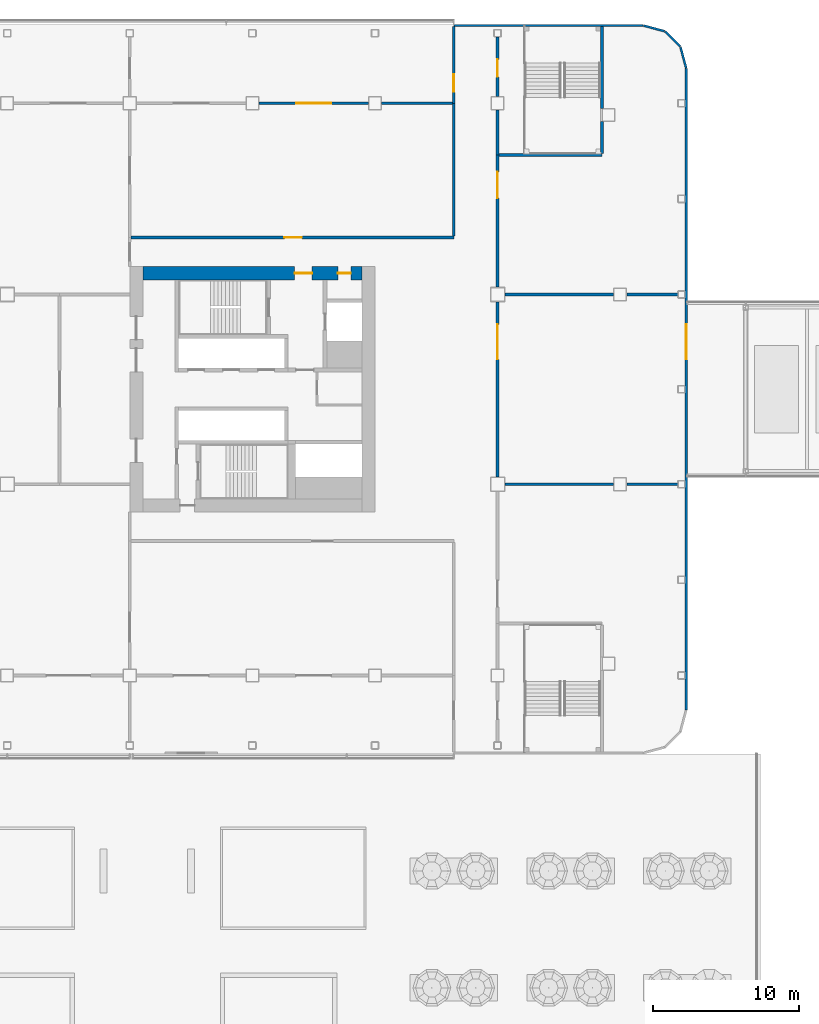
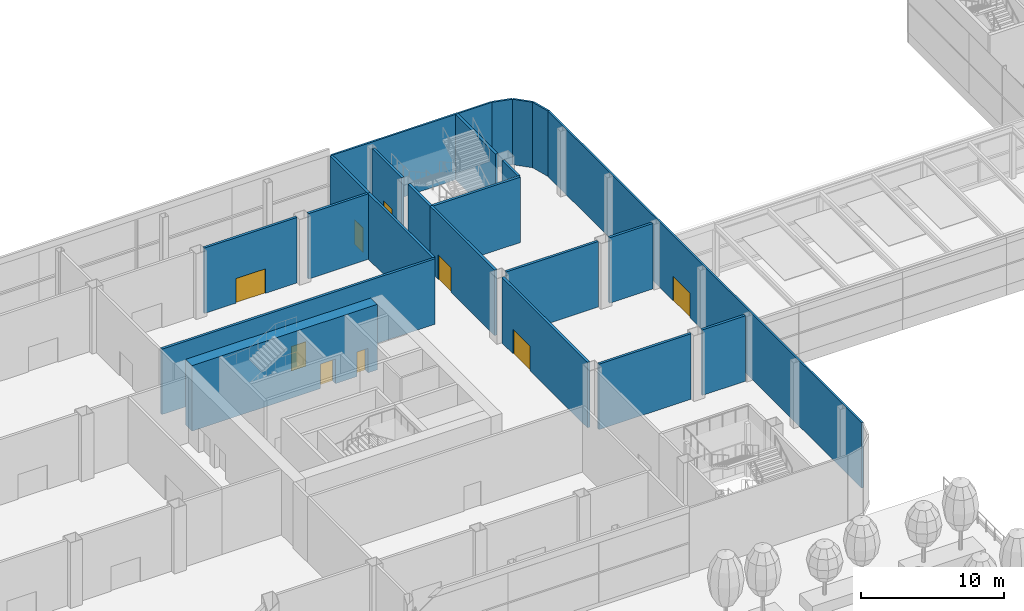
# One storey, part 37 of 100: 22 walls, 9 doors, 9 openings.
"""IFC4 building model written with IfcOpenShell, lengths in metres."""

from ifc_helpers import new_model, si_unit, direction, frame, frame_2d, origin, place, context, subcontext, project, spatial, rectangle, extrude, material, layer, layer_set, type_object, element, fill, save


model = new_model("IFC4")

# Units and contexts
model_context = context("Model", 3, precision=1e-05, world=origin(), true_north=direction((0.0, 1.0)))
body_context = subcontext(model_context, "Body", "Model", "MODEL_VIEW")
ifc_project = project(units=[si_unit("LENGTHUNIT", "METRE"), si_unit("AREAUNIT", "SQUARE_METRE"), si_unit("VOLUMEUNIT", "CUBIC_METRE"), si_unit("PLANEANGLEUNIT", "RADIAN"), si_unit("MASSUNIT", "GRAM", prefix="KILO")], contexts=[model_context])

# Site, building, storey
site_placement = place(None, origin())
site = spatial("IfcSite", under=ifc_project, at=site_placement, CompositionType="ELEMENT")
building_placement = place(site_placement, origin())
building = spatial("IfcBuilding", under=site, at=building_placement, Name="Hakoniwa Tower and Hamabe Station Hall", CompositionType="ELEMENT")
storey_placement = place(building_placement, frame((0.0, 0.0, 9.0)))
storey = spatial("IfcBuildingStorey", under=building, at=storey_placement, Name="L02", CompositionType="ELEMENT", Elevation=9.0)

# Wall, openings, doors
ifc_material_1 = material(Name="Concrete C80", Category="concrete")
ifc_layer_1 = layer(ifc_material_1, 0.89990234375)
ifc_layer_set_1 = layer_set([ifc_layer_1], Name="CORE WALL 900 C80")
wall_type_1 = type_object("IfcWallType", Name="CORE WALL 900 C80", PredefinedType="SHEAR", material=ifc_layer_set_1)
wall_1_placement = place(storey_placement, frame((17.699951171875, 7.949951171875, 0.0), z_axis=(0.0, 0.0, 1.0), x_axis=(1.0, 0.0, 0.0)))
wall_1 = element("IfcWall", 1, at=wall_1_placement, inside=storey, type_object=wall_type_1, Name="Core wall NORTH east", PredefinedType="SHEAR", context=body_context, shape_type="SweptSolid", body=[
    extrude(rectangle(XDim=15.0, YDim=0.89990234375, at=frame_2d((7.5, 0.0))), origin(), (0.0, 0.0, 1.0), 5.60009765625),
])
opening_1_placement = place(wall_1_placement, frame((10.39990234375, 0.0, 0.0)))
opening_1 = element("IfcOpeningElement", 2, at=opening_1_placement, cuts=wall_1, Name="Opening CD-E-FN1-12", PredefinedType="OPENING", context=body_context, shape_type="SweptSolid", body=[
    extrude(rectangle(XDim=1.199951171875, YDim=2.10009765625, at=frame_2d((0.60009765625, 1.050048828125))), frame((0.0, 0.4599609375, 0.0), z_axis=(0.0, -1.0, 0.0), x_axis=(1.0, 0.0, 0.0)), (0.0, 0.0, 1.0), 0.919921875),
])
opening_2_placement = place(wall_1_placement, frame((13.35009765625, 0.0, 0.0)))
opening_2 = element("IfcOpeningElement", 3, at=opening_2_placement, cuts=wall_1, Name="Opening CD-E-FN2-9", PredefinedType="OPENING", context=body_context, shape_type="SweptSolid", body=[
    extrude(rectangle(XDim=0.89990234375, YDim=2.10009765625, at=frame_2d((0.449951171875, 1.050048828125))), frame((0.0, 0.4599609375, 0.0), z_axis=(0.0, -1.0, 0.0), x_axis=(1.0, 0.0, 0.0)), (0.0, 0.0, 1.0), 0.919921875),
])
ifc_material_2 = material(Name="Steel fire door", Category="steel")
door_type_1 = type_object("IfcDoorType", Name="CORE DOOR 1200 FD60", OperationType="DOUBLE_DOOR_SINGLE_SWING", PredefinedType="DOOR", material=ifc_material_2)
door_1_placement = place(opening_1_placement, origin())
door_1 = element("IfcDoor", 4, at=door_1_placement, inside=storey, type_object=door_type_1, Name="Stair vestibule door to the fire-fighting lobby", OperationType="DOUBLE_DOOR_SINGLE_SWING", OverallHeight=2.10009765625, OverallWidth=1.199951171875, PredefinedType="DOOR", context=body_context, shape_type="SweptSolid", body=[
    extrude(rectangle(XDim=1.199951171875, YDim=2.10009765625, at=frame_2d((0.60009765625, 1.050048828125))), frame((0.0, 0.02490234375, 0.0), z_axis=(0.0, -1.0, 0.0), x_axis=(1.0, 0.0, 0.0)), (0.0, 0.0, 1.0), 0.050048828125),
])
fill(opening_1, door_1)
ifc_material_3 = material(Name="Steel fire door", Category="steel")
door_type_2 = type_object("IfcDoorType", Name="CORE DOOR 900 FD30", OperationType="NOTDEFINED", PredefinedType="DOOR", material=ifc_material_3)
door_2_placement = place(opening_2_placement, origin())
door_2 = element("IfcDoor", 5, at=door_2_placement, inside=storey, type_object=door_type_2, Name="Riser access door", OperationType="SINGLE_SWING_LEFT", OverallHeight=2.10009765625, OverallWidth=0.89990234375, PredefinedType="DOOR", context=body_context, shape_type="SweptSolid", body=[
    extrude(rectangle(XDim=0.89990234375, YDim=2.10009765625, at=frame_2d((0.449951171875, 1.050048828125))), frame((0.0, 0.02490234375, 0.0), z_axis=(0.0, -1.0, 0.0), x_axis=(1.0, 0.0, 0.0)), (0.0, 0.0, 1.0), 0.050048828125),
])
fill(opening_2, door_2)

# Walls
ifc_material_4 = material(Name="Dark glass-faced aluminium panel", Category="aluminium")
ifc_layer_2 = layer(ifc_material_4, 0.14990234375)
ifc_layer_set_2 = layer_set([ifc_layer_2], Name="EXTERNAL WALL 150 EI 60")
wall_type_2 = type_object("IfcWallType", Name="EXTERNAL WALL 150 EI 60", PredefinedType="STANDARD", material=ifc_layer_set_2)
wall_2_placement = place(storey_placement, frame((39.0, 24.925048828125, 0.0), z_axis=(0.0, 0.0, 1.0), x_axis=(1.0, 0.0, 0.0)))
element("IfcWall", 6, at=wall_2_placement, inside=storey, type_object=wall_type_2, Name="External wall L02 12-2", PredefinedType="STANDARD", context=body_context, shape_type="SweptSolid", body=[
    extrude(rectangle(XDim=12.980224609375, YDim=0.14990234375, at=frame_2d((6.490234375, 0.0))), origin(), (0.0, 0.0, 1.0), 5.60009765625),
])
wall_3_placement = place(storey_placement, frame((51.999755859375, 24.92236328125, 0.0), z_axis=(0.0, 0.0, 1.0), x_axis=(0.965946591624, -0.258741535379, 0.0)))
element("IfcWall", 7, at=wall_3_placement, inside=storey, type_object=wall_type_2, Name="External wall L02 13-1", PredefinedType="STANDARD", context=body_context, shape_type="SweptSolid", body=[
    extrude(rectangle(XDim=1.49267578125, YDim=0.14990234375, at=frame_2d((0.746337890625, 0.0))), origin(), (0.0, 0.0, 1.0), 5.60009765625),
])
wall_4_placement = place(storey_placement, frame((53.475341796875, 24.5166015625, 0.0), z_axis=(0.0, 0.0, 1.0), x_axis=(0.707106781187, -0.707106781187, 0.0)))
element("IfcWall", 8, at=wall_4_placement, inside=storey, type_object=wall_type_2, Name="External wall L02 14-1", PredefinedType="STANDARD", context=body_context, shape_type="SweptSolid", body=[
    extrude(rectangle(XDim=1.47265625, YDim=0.14990234375, at=frame_2d((0.736328125, 0.0))), origin(), (0.0, 0.0, 1.0), 5.60009765625),
])
wall_5_placement = place(storey_placement, frame((54.5361328125, 23.441650390625, 0.0), z_axis=(0.0, 0.0, 1.0), x_axis=(0.258741535379, -0.965946591624, 0.0)))
element("IfcWall", 9, at=wall_5_placement, inside=storey, type_object=wall_type_2, Name="External wall L02 15-1", PredefinedType="STANDARD", context=body_context, shape_type="SweptSolid", body=[
    extrude(rectangle(XDim=1.49267578125, YDim=0.14990234375, at=frame_2d((0.746337890625, 0.0))), origin(), (0.0, 0.0, 1.0), 5.60009765625),
])

# Wall, opening, door
wall_6_placement = place(storey_placement, frame((54.925048828125, 21.980224609375, 0.0), z_axis=(0.0, 0.0, 1.0), x_axis=(0.0, -1.0, 0.0)))
wall_6 = element("IfcWall", 10, at=wall_6_placement, inside=storey, type_object=wall_type_2, Name="External wall L02 16-1", PredefinedType="STANDARD", context=body_context, shape_type="SweptSolid", body=[
    extrude(rectangle(XDim=43.96044921875, YDim=0.14990234375, at=frame_2d((21.980224609375, 0.0))), origin(), (0.0, 0.0, 1.0), 5.60009765625),
])
opening_3_placement = place(wall_6_placement, frame((17.5302734375, 0.0, 0.0)))
opening_3 = element("IfcOpeningElement", 11, at=opening_3_placement, cuts=wall_6, Name="Opening ED-E-07", PredefinedType="OPENING", context=body_context, shape_type="SweptSolid", body=[
    extrude(rectangle(XDim=2.39990234375, YDim=2.10009765625, at=frame_2d((1.199951171875, 1.050048828125))), frame((0.0, 0.0849609375, 0.0), z_axis=(0.0, -1.0, 0.0), x_axis=(1.0, 0.0, 0.0)), (0.0, 0.0, 1.0), 0.169921875),
])
ifc_material_5 = material(Name="Glazed aluminium door", Category="aluminium")
door_type_3 = type_object("IfcDoorType", Name="DOUBLE GLAZED DOOR 2400X2100", OperationType="DOUBLE_DOOR_DOUBLE_SWING", PredefinedType="DOOR", material=ifc_material_5)
door_3_placement = place(opening_3_placement, origin())
door_3 = element("IfcDoor", 12, at=door_3_placement, inside=storey, type_object=door_type_3, Name="Entrance door", OperationType="DOUBLE_DOOR_DOUBLE_SWING", OverallHeight=2.10009765625, OverallWidth=2.39990234375, PredefinedType="DOOR", context=body_context, shape_type="SweptSolid", body=[
    extrude(rectangle(XDim=2.39990234375, YDim=2.10009765625, at=frame_2d((1.199951171875, 1.050048828125))), frame((0.0, 0.02490234375, 0.0), z_axis=(0.0, -1.0, 0.0), x_axis=(1.0, 0.0, 0.0)), (0.0, 0.0, 1.0), 0.050048828125),
])
fill(opening_3, door_3)

# Walls
ifc_material_6 = material(Name="Fire-rated gypsum board partition")
ifc_layer_3 = layer(ifc_material_6, 0.199951171875)
ifc_layer_set_3 = layer_set([ifc_layer_3], Name="FIRE PARTITION 200 EI 60")
wall_type_3 = type_object("IfcWallType", Name="FIRE PARTITION 200 EI 60", PredefinedType="PARTITIONING", material=ifc_layer_set_3)
wall_7_placement = place(storey_placement, frame((54.35009765625, -6.5, 0.0), z_axis=(0.0, 0.0, 1.0), x_axis=(-1.0, 0.0, 0.0)))
element("IfcWall", 13, at=wall_7_placement, inside=storey, type_object=wall_type_3, Name="Wall Arcade Lobby / Wine Bar", PredefinedType="PARTITIONING", context=body_context, shape_type="SweptSolid", body=[
    extrude(rectangle(XDim=3.5, YDim=0.199951171875, at=frame_2d((1.75, 0.0))), origin(), (0.0, 0.0, 1.0), 5.60009765625),
])
wall_8_placement = place(storey_placement, frame((49.949951171875, -6.5, 0.0), z_axis=(0.0, 0.0, 1.0), x_axis=(-1.0, 0.0, 0.0)))
element("IfcWall", 14, at=wall_8_placement, inside=storey, type_object=wall_type_3, Name="Wall Arcade Lobby / Wine Bar", PredefinedType="PARTITIONING", context=body_context, shape_type="SweptSolid", body=[
    extrude(rectangle(XDim=7.449951171875, YDim=0.199951171875, at=frame_2d((3.72509765625, 0.0))), origin(), (0.0, 0.0, 1.0), 5.60009765625),
])

# Wall, opening, door
wall_9_placement = place(storey_placement, frame((25.64990234375, 19.60009765625, 0.0), z_axis=(0.0, 0.0, 1.0), x_axis=(1.0, 0.0, 0.0)))
wall_9 = element("IfcWall", 15, at=wall_9_placement, inside=storey, type_object=wall_type_3, Name="Wall Business Centre / Business Centre Gallery", PredefinedType="PARTITIONING", context=body_context, shape_type="SweptSolid", body=[
    extrude(rectangle(XDim=7.5, YDim=0.199951171875, at=frame_2d((3.75, 0.0))), origin(), (0.0, 0.0, 1.0), 5.60009765625),
])
opening_4_placement = place(wall_9_placement, frame((2.550048828125, 0.0, 0.0)))
opening_4 = element("IfcOpeningElement", 16, at=opening_4_placement, cuts=wall_9, Name="Opening PD-L02-029", PredefinedType="OPENING", context=body_context, shape_type="SweptSolid", body=[
    extrude(rectangle(XDim=2.39990234375, YDim=2.10009765625, at=frame_2d((1.199951171875, 1.050048828125))), frame((0.0, 0.10986328125, 0.0), z_axis=(0.0, -1.0, 0.0), x_axis=(1.0, 0.0, 0.0)), (0.0, 0.0, 1.0), 0.219970703125),
])
door_4_placement = place(opening_4_placement, origin())
door_4 = element("IfcDoor", 17, at=door_4_placement, inside=storey, type_object=door_type_3, Name="Door PD-L02-029", OperationType="DOUBLE_DOOR_DOUBLE_SWING", OverallHeight=2.10009765625, OverallWidth=2.39990234375, PredefinedType="DOOR", context=body_context, shape_type="SweptSolid", body=[
    extrude(rectangle(XDim=2.39990234375, YDim=2.10009765625, at=frame_2d((1.199951171875, 1.050048828125))), frame((0.0, 0.02490234375, 0.0), z_axis=(0.0, -1.0, 0.0), x_axis=(1.0, 0.0, 0.0)), (0.0, 0.0, 1.0), 0.050048828125),
])
fill(opening_4, door_4)

# Walls
wall_10_placement = place(storey_placement, frame((34.050048828125, 19.60009765625, 0.0), z_axis=(0.0, 0.0, 1.0), x_axis=(1.0, 0.0, 0.0)))
element("IfcWall", 18, at=wall_10_placement, inside=storey, type_object=wall_type_3, Name="Wall Business Centre / Business Centre Gallery", PredefinedType="PARTITIONING", context=body_context, shape_type="SweptSolid", body=[
    extrude(rectangle(XDim=4.849853515625, YDim=0.199951171875, at=frame_2d((2.4248046875, 0.0))), origin(), (0.0, 0.0, 1.0), 5.60009765625),
])
wall_11_placement = place(storey_placement, frame((54.35009765625, 6.5, 0.0), z_axis=(0.0, 0.0, 1.0), x_axis=(-1.0, 0.0, 0.0)))
element("IfcWall", 19, at=wall_11_placement, inside=storey, type_object=wall_type_3, Name="Wall Garden Cafe / Arcade Lobby", PredefinedType="PARTITIONING", context=body_context, shape_type="SweptSolid", body=[
    extrude(rectangle(XDim=3.5, YDim=0.199951171875, at=frame_2d((1.75, 0.0))), origin(), (0.0, 0.0, 1.0), 5.60009765625),
])
wall_12_placement = place(storey_placement, frame((49.949951171875, 6.5, 0.0), z_axis=(0.0, 0.0, 1.0), x_axis=(-1.0, 0.0, 0.0)))
element("IfcWall", 20, at=wall_12_placement, inside=storey, type_object=wall_type_3, Name="Wall Garden Cafe / Arcade Lobby", PredefinedType="PARTITIONING", context=body_context, shape_type="SweptSolid", body=[
    extrude(rectangle(XDim=7.449951171875, YDim=0.199951171875, at=frame_2d((3.72509765625, 0.0))), origin(), (0.0, 0.0, 1.0), 5.60009765625),
])

# Wall, opening, door
wall_13_placement = place(storey_placement, frame((42.0, 6.0, 0.0), z_axis=(0.0, 0.0, 1.0), x_axis=(0.0, -1.0, 0.0)))
wall_13 = element("IfcWall", 21, at=wall_13_placement, inside=storey, type_object=wall_type_3, Name="Wall East Gallery / Arcade Lobby", PredefinedType="PARTITIONING", context=body_context, shape_type="SweptSolid", body=[
    extrude(rectangle(XDim=12.0, YDim=0.199951171875, at=frame_2d((6.0, 0.0))), origin(), (0.0, 0.0, 1.0), 5.60009765625),
])
opening_5_placement = place(wall_13_placement, frame((1.550048828125, 0.0, 0.0)))
opening_5 = element("IfcOpeningElement", 22, at=opening_5_placement, cuts=wall_13, Name="Opening PD-L02-050", PredefinedType="OPENING", context=body_context, shape_type="SweptSolid", body=[
    extrude(rectangle(XDim=2.39990234375, YDim=2.10009765625, at=frame_2d((1.199951171875, 1.050048828125))), frame((0.0, 0.10986328125, 0.0), z_axis=(0.0, -1.0, 0.0), x_axis=(1.0, 0.0, 0.0)), (0.0, 0.0, 1.0), 0.219970703125),
])
ifc_material_7 = material(Name="Steel fire door", Category="steel")
door_type_4 = type_object("IfcDoorType", Name="FIRE DOUBLE DOOR 2400X2100 FD60", OperationType="DOUBLE_DOOR_SINGLE_SWING", PredefinedType="DOOR", material=ifc_material_7)
door_5_placement = place(opening_5_placement, origin())
door_5 = element("IfcDoor", 23, at=door_5_placement, inside=storey, type_object=door_type_4, Name="Door PD-L02-050", OperationType="DOUBLE_DOOR_SINGLE_SWING", OverallHeight=2.10009765625, OverallWidth=2.39990234375, PredefinedType="DOOR", context=body_context, shape_type="SweptSolid", body=[
    extrude(rectangle(XDim=2.39990234375, YDim=2.10009765625, at=frame_2d((1.199951171875, 1.050048828125))), frame((0.0, 0.02490234375, 0.0), z_axis=(0.0, -1.0, 0.0), x_axis=(1.0, 0.0, 0.0)), (0.0, 0.0, 1.0), 0.050048828125),
])
fill(opening_5, door_5)

wall_14_placement = place(storey_placement, frame((39.0, 19.60009765625, 0.0), z_axis=(0.0, 0.0, 1.0), x_axis=(0.0, 1.0, 0.0)))
wall_14 = element("IfcWall", 24, at=wall_14_placement, inside=storey, type_object=wall_type_3, Name="Wall East Gallery / Business Centre Gallery", PredefinedType="PARTITIONING", context=body_context, shape_type="SweptSolid", body=[
    extrude(rectangle(XDim=5.25, YDim=0.199951171875, at=frame_2d((2.625, 0.0))), origin(), (0.0, 0.0, 1.0), 5.60009765625),
])
opening_6_placement = place(wall_14_placement, frame((0.800048828125, 0.0, 0.0)))
opening_6 = element("IfcOpeningElement", 25, at=opening_6_placement, cuts=wall_14, Name="Opening PD-L02-046", PredefinedType="OPENING", context=body_context, shape_type="SweptSolid", body=[
    extrude(rectangle(XDim=1.199951171875, YDim=2.10009765625, at=frame_2d((0.60009765625, 1.050048828125))), frame((0.0, 0.10986328125, 0.0), z_axis=(0.0, -1.0, 0.0), x_axis=(1.0, 0.0, 0.0)), (0.0, 0.0, 1.0), 0.219970703125),
])
ifc_material_8 = material(Name="Steel fire door", Category="steel")
door_type_5 = type_object("IfcDoorType", Name="FIRE DOOR 1200X2100 FD60", OperationType="SINGLE_SWING_LEFT", PredefinedType="DOOR", material=ifc_material_8)
door_6_placement = place(opening_6_placement, origin())
door_6 = element("IfcDoor", 26, at=door_6_placement, inside=storey, type_object=door_type_5, Name="Door PD-L02-046", OperationType="SINGLE_SWING_RIGHT", OverallHeight=2.10009765625, OverallWidth=1.199951171875, PredefinedType="DOOR", context=body_context, shape_type="SweptSolid", body=[
    extrude(rectangle(XDim=1.199951171875, YDim=2.10009765625, at=frame_2d((0.60009765625, 1.050048828125))), frame((0.0, 0.02490234375, 0.0), z_axis=(0.0, -1.0, 0.0), x_axis=(1.0, 0.0, 0.0)), (0.0, 0.0, 1.0), 0.050048828125),
])
fill(opening_6, door_6)

wall_15_placement = place(storey_placement, frame((16.89990234375, 10.39990234375, 0.0), z_axis=(0.0, 0.0, 1.0), x_axis=(1.0, 0.0, 0.0)))
wall_15 = element("IfcWall", 27, at=wall_15_placement, inside=storey, type_object=wall_type_3, Name="Wall East Gallery / Business Centre", PredefinedType="PARTITIONING", context=body_context, shape_type="SweptSolid", body=[
    extrude(rectangle(XDim=22.10009765625, YDim=0.199951171875, at=frame_2d((11.050048828125, 0.0))), origin(), (0.0, 0.0, 1.0), 5.60009765625),
])
opening_7_placement = place(wall_15_placement, frame((10.5, 0.0, 0.0)))
opening_7 = element("IfcOpeningElement", 28, at=opening_7_placement, cuts=wall_15, Name="Opening PD-L02-047", PredefinedType="OPENING", context=body_context, shape_type="SweptSolid", body=[
    extrude(rectangle(XDim=1.199951171875, YDim=2.10009765625, at=frame_2d((0.60009765625, 1.050048828125))), frame((0.0, 0.10986328125, 0.0), z_axis=(0.0, -1.0, 0.0), x_axis=(1.0, 0.0, 0.0)), (0.0, 0.0, 1.0), 0.219970703125),
])
door_7_placement = place(opening_7_placement, origin())
door_7 = element("IfcDoor", 29, at=door_7_placement, inside=storey, type_object=door_type_5, Name="Door PD-L02-047", OperationType="SINGLE_SWING_RIGHT", OverallHeight=2.10009765625, OverallWidth=1.199951171875, PredefinedType="DOOR", context=body_context, shape_type="SweptSolid", body=[
    extrude(rectangle(XDim=1.199951171875, YDim=2.10009765625, at=frame_2d((0.60009765625, 1.050048828125))), frame((0.0, 0.02490234375, 0.0), z_axis=(0.0, -1.0, 0.0), x_axis=(1.0, 0.0, 0.0)), (0.0, 0.0, 1.0), 0.050048828125),
])
fill(opening_7, door_7)

# Wall
wall_16_placement = place(storey_placement, frame((39.0, 10.5, 0.0), z_axis=(0.0, 0.0, 1.0), x_axis=(0.0, 1.0, 0.0)))
element("IfcWall", 30, at=wall_16_placement, inside=storey, type_object=wall_type_3, Name="Wall East Gallery / Business Centre", PredefinedType="PARTITIONING", context=body_context, shape_type="SweptSolid", body=[
    extrude(rectangle(XDim=9.10009765625, YDim=0.199951171875, at=frame_2d((4.550048828125, 0.0))), origin(), (0.0, 0.0, 1.0), 5.60009765625),
])

# Wall, opening, door
wall_17_placement = place(storey_placement, frame((42.0, 16.050048828125, 0.0), z_axis=(0.0, 0.0, 1.0), x_axis=(0.0, -1.0, 0.0)))
wall_17 = element("IfcWall", 31, at=wall_17_placement, inside=storey, type_object=wall_type_3, Name="Wall East Gallery / Garden Cafe", PredefinedType="PARTITIONING", context=body_context, shape_type="SweptSolid", body=[
    extrude(rectangle(XDim=9.050048828125, YDim=0.199951171875, at=frame_2d((4.52490234375, 0.0))), origin(), (0.0, 0.0, 1.0), 5.60009765625),
])
opening_8_placement = place(wall_17_placement, frame((1.14990234375, 0.0, 0.0)))
opening_8 = element("IfcOpeningElement", 32, at=opening_8_placement, cuts=wall_17, Name="Opening PD-L02-048", PredefinedType="OPENING", context=body_context, shape_type="SweptSolid", body=[
    extrude(rectangle(XDim=1.800048828125, YDim=2.10009765625, at=frame_2d((0.89990234375, 1.050048828125))), frame((0.0, 0.10986328125, 0.0), z_axis=(0.0, -1.0, 0.0), x_axis=(1.0, 0.0, 0.0)), (0.0, 0.0, 1.0), 0.219970703125),
])
ifc_material_9 = material(Name="Steel fire door", Category="steel")
door_type_6 = type_object("IfcDoorType", Name="FIRE DOUBLE DOOR 1800X2100 FD60", OperationType="DOUBLE_DOOR_SINGLE_SWING", PredefinedType="DOOR", material=ifc_material_9)
door_8_placement = place(opening_8_placement, origin())
door_8 = element("IfcDoor", 33, at=door_8_placement, inside=storey, type_object=door_type_6, Name="Door PD-L02-048", OperationType="DOUBLE_DOOR_SINGLE_SWING", OverallHeight=2.10009765625, OverallWidth=1.800048828125, PredefinedType="DOOR", context=body_context, shape_type="SweptSolid", body=[
    extrude(rectangle(XDim=1.800048828125, YDim=2.10009765625, at=frame_2d((0.89990234375, 1.050048828125))), frame((0.0, 0.02490234375, 0.0), z_axis=(0.0, -1.0, 0.0), x_axis=(1.0, 0.0, 0.0)), (0.0, 0.0, 1.0), 0.050048828125),
])
fill(opening_8, door_8)

# Walls
ifc_material_10 = material(Name="Concrete C40", Category="concrete")
ifc_layer_4 = layer(ifc_material_10, 0.199951171875)
ifc_layer_set_4 = layer_set([ifc_layer_4], Name="RC WALL 200 EI 60 C40")
wall_type_4 = type_object("IfcWallType", Name="RC WALL 200 EI 60 C40", PredefinedType="SHEAR", material=ifc_layer_set_4)
wall_18_placement = place(storey_placement, frame((49.14990234375, 16.050048828125, 0.0), z_axis=(0.0, 0.0, 1.0), x_axis=(-1.0, 0.0, 0.0)))
element("IfcWall", 34, at=wall_18_placement, inside=storey, type_object=wall_type_4, Name="Wall Escape Stair PS2 / Garden Cafe", PredefinedType="SHEAR", context=body_context, shape_type="SweptSolid", body=[
    extrude(rectangle(XDim=7.0498046875, YDim=0.199951171875, at=frame_2d((3.52490234375, 0.0))), origin(), (0.0, 0.0, 1.0), 5.60009765625),
])
wall_19_placement = place(storey_placement, frame((49.14990234375, 24.85009765625, 0.0), z_axis=(0.0, 0.0, 1.0), x_axis=(0.0, -1.0, 0.0)))
element("IfcWall", 35, at=wall_19_placement, inside=storey, type_object=wall_type_4, Name="Wall Escape Stair PS2 / Garden Cafe", PredefinedType="SHEAR", context=body_context, shape_type="SweptSolid", body=[
    extrude(rectangle(XDim=5.596923828125, YDim=0.199951171875, at=frame_2d((2.79833984375, 0.0))), origin(), (0.0, 0.0, 1.0), 5.60009765625),
])
wall_20_placement = place(storey_placement, frame((49.14990234375, 18.35302734375, 0.0), z_axis=(0.0, 0.0, 1.0), x_axis=(0.0, -1.0, 0.0)))
element("IfcWall", 36, at=wall_20_placement, inside=storey, type_object=wall_type_4, Name="Wall Escape Stair PS2 / Garden Cafe", PredefinedType="SHEAR", context=body_context, shape_type="SweptSolid", body=[
    extrude(rectangle(XDim=2.203125, YDim=0.199951171875, at=frame_2d((1.1015625, 0.0))), origin(), (0.0, 0.0, 1.0), 5.60009765625),
])
wall_21_placement = place(storey_placement, frame((42.0, 16.050048828125, 0.0), z_axis=(0.0, 0.0, 1.0), x_axis=(0.0, 1.0, 0.0)))
element("IfcWall", 37, at=wall_21_placement, inside=storey, type_object=wall_type_4, Name="Wall Escape Stair PS2 / East Gallery", PredefinedType="SHEAR", context=body_context, shape_type="SweptSolid", body=[
    extrude(rectangle(XDim=3.099853515625, YDim=0.199951171875, at=frame_2d((1.5498046875, 0.0))), origin(), (0.0, 0.0, 1.0), 5.60009765625),
])

# Wall, opening, door
wall_22_placement = place(storey_placement, frame((42.0, 20.050048828125, 0.0), z_axis=(0.0, 0.0, 1.0), x_axis=(0.0, 1.0, 0.0)))
wall_22 = element("IfcWall", 38, at=wall_22_placement, inside=storey, type_object=wall_type_4, Name="Wall Escape Stair PS2 / East Gallery", PredefinedType="SHEAR", context=body_context, shape_type="SweptSolid", body=[
    extrude(rectangle(XDim=4.099853515625, YDim=0.199951171875, at=frame_2d((2.0498046875, 0.0))), origin(), (0.0, 0.0, 1.0), 5.60009765625),
])
opening_9_placement = place(wall_22_placement, frame((1.35009765625, 0.0, 0.0)))
opening_9 = element("IfcOpeningElement", 39, at=opening_9_placement, cuts=wall_22, Name="Opening PD-L02-037", PredefinedType="OPENING", context=body_context, shape_type="SweptSolid", body=[
    extrude(rectangle(XDim=1.199951171875, YDim=2.10009765625, at=frame_2d((0.60009765625, 1.050048828125))), frame((0.0, 0.10986328125, 0.0), z_axis=(0.0, -1.0, 0.0), x_axis=(1.0, 0.0, 0.0)), (0.0, 0.0, 1.0), 0.219970703125),
])
door_9_placement = place(opening_9_placement, origin())
door_9 = element("IfcDoor", 40, at=door_9_placement, inside=storey, type_object=door_type_5, Name="Escape stair door PS2", OperationType="SINGLE_SWING_RIGHT", OverallHeight=2.10009765625, OverallWidth=1.199951171875, PredefinedType="DOOR", context=body_context, shape_type="SweptSolid", body=[
    extrude(rectangle(XDim=1.199951171875, YDim=2.10009765625, at=frame_2d((0.60009765625, 1.050048828125))), frame((0.0, 0.02490234375, 0.0), z_axis=(0.0, -1.0, 0.0), x_axis=(1.0, 0.0, 0.0)), (0.0, 0.0, 1.0), 0.050048828125),
])
fill(opening_9, door_9)

save(model, "model.ifc")
